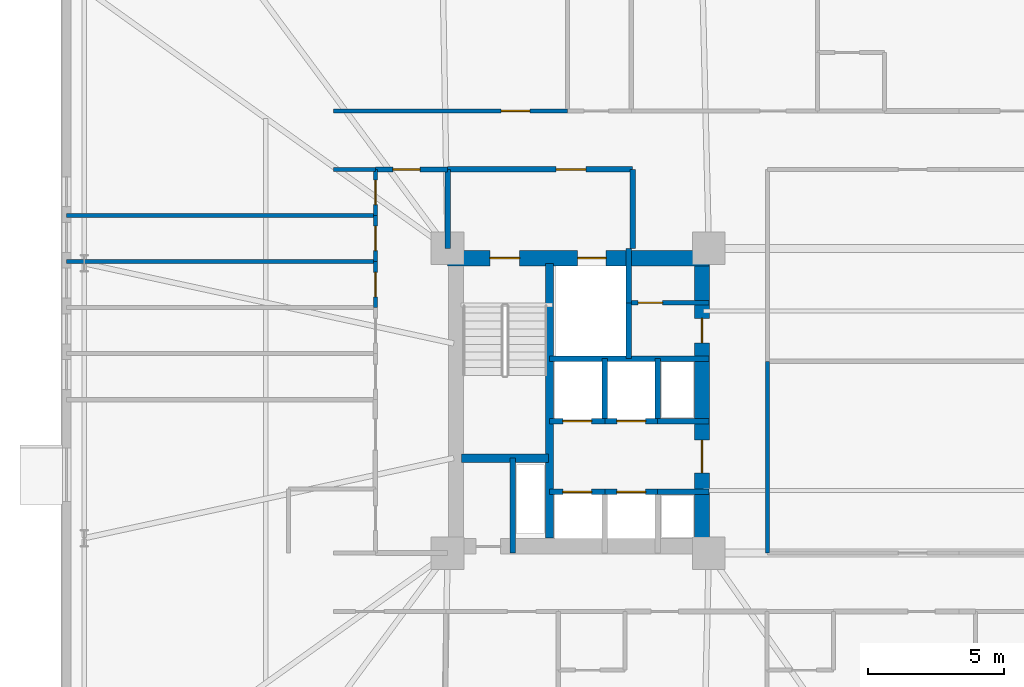
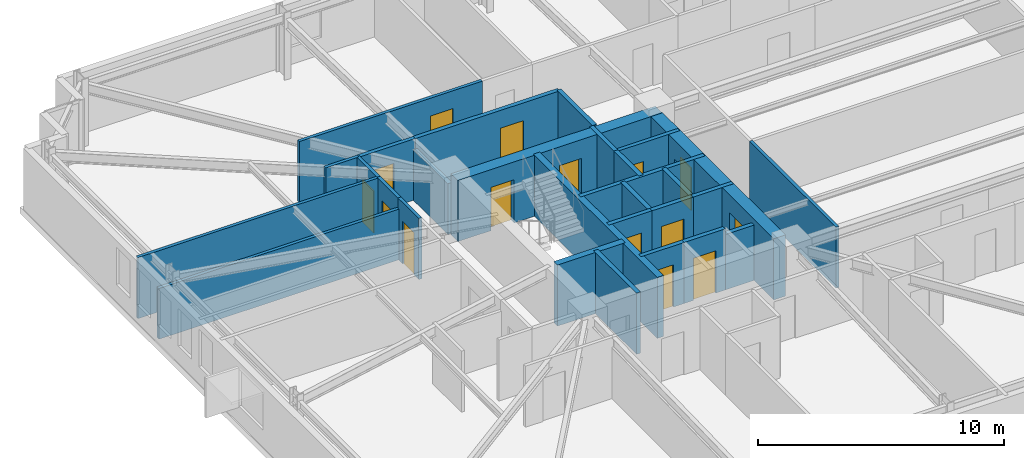
# One storey, part 15 of 21: 29 walls, 15 doors, 15 openings.
"""IFC4 building model written with IfcOpenShell, lengths in metres."""

from ifc_helpers import new_model, si_unit, direction, frame, frame_2d, origin, place, context, subcontext, project, spatial, rectangle, extrude, material, layer, layer_set, type_object, element, fill, save


model = new_model("IFC4")

# Units and contexts
model_context = context("Model", 3, precision=1e-05, world=origin(), true_north=direction((0.0, 1.0)))
body_context = subcontext(model_context, "Body", "Model", "MODEL_VIEW")
ifc_project = project(units=[si_unit("LENGTHUNIT", "METRE"), si_unit("AREAUNIT", "SQUARE_METRE"), si_unit("VOLUMEUNIT", "CUBIC_METRE"), si_unit("PLANEANGLEUNIT", "RADIAN"), si_unit("MASSUNIT", "GRAM", prefix="KILO")], contexts=[model_context])

# Site, building, storey
site_placement = place(None, origin())
site = spatial("IfcSite", under=ifc_project, at=site_placement, CompositionType="ELEMENT")
building_placement = place(site_placement, origin())
building = spatial("IfcBuilding", under=site, at=building_placement, Name="Qobustan Lattice House", CompositionType="ELEMENT")
storey_placement = place(building_placement, frame((0.0, 0.0, 40.39990234375)))
storey = spatial("IfcBuildingStorey", under=building, at=storey_placement, Name="L10", CompositionType="ELEMENT", Elevation=40.39990234375)

# Wall, openings, doors
ifc_material_1 = material(Name="Concrete C60/75", Category="concrete")
ifc_layer_1 = layer(ifc_material_1, 0.56005859375)
ifc_layer_set_1 = layer_set([ifc_layer_1], Name="Concrete C60/75")
wall_type_1 = type_object("IfcWallType", Name="WAL-CORE-600", PredefinedType="SHEAR", material=ifc_layer_set_1)
wall_1_placement = place(storey_placement, frame((-18.800048828125, 5.239990234375, 0.0), z_axis=(0.0, 0.0, 1.0), x_axis=(1.0, 0.0, 0.0)))
wall_1 = element("IfcWall", 1, at=wall_1_placement, inside=storey, type_object=wall_type_1, Name="L10 split-core shear wall CW-N", PredefinedType="SHEAR", context=body_context, shape_type="SweptSolid", body=[
    extrude(rectangle(XDim=9.60009765625, YDim=0.56005859375, at=frame_2d((4.800048828125, 0.0))), origin(), (0.0, 0.0, 1.0), 3.03515625),
])
opening_1_placement = place(wall_1_placement, frame((1.550048828125, 0.0, 0.0)))
opening_1 = element("IfcOpeningElement", 2, at=opening_1_placement, cuts=wall_1, Name="Opening SD-01", PredefinedType="OPENING", context=body_context, shape_type="SweptSolid", body=[
    extrude(rectangle(XDim=1.10009765625, YDim=2.14990234375, at=frame_2d((0.550048828125, 1.074951171875))), frame((0.0, 0.2900390625, 0.0), z_axis=(0.0, -1.0, 0.0), x_axis=(1.0, 0.0, 0.0)), (0.0, 0.0, 1.0), 0.580078125),
])
opening_2_placement = place(wall_1_placement, frame((4.77490234375, 0.0, 0.0)))
opening_2 = element("IfcOpeningElement", 3, at=opening_2_placement, cuts=wall_1, Name="Opening LD-01", PredefinedType="OPENING", context=body_context, shape_type="SweptSolid", body=[
    extrude(rectangle(XDim=1.050048828125, YDim=2.10009765625, at=frame_2d((0.52490234375, 1.050048828125))), frame((0.0, 0.2900390625, 0.0), z_axis=(0.0, -1.0, 0.0), x_axis=(1.0, 0.0, 0.0)), (0.0, 0.0, 1.0), 0.580078125),
])
ifc_material_2 = material(Name="Persian walnut timber and steel frame door", Category="steel")
door_type_1 = type_object("IfcDoorType", Name="DOR-LIFT-LD-1050x2100", OperationType="NOTDEFINED", PredefinedType="DOOR", material=ifc_material_2)
door_1_placement = place(opening_2_placement, origin())
door_1 = element("IfcDoor", 4, at=door_1_placement, inside=storey, type_object=door_type_1, Name="L10 firefighting lift FF-W landing door", OperationType="DOUBLE_DOOR_SLIDING", OverallHeight=2.10009765625, OverallWidth=1.050048828125, PredefinedType="DOOR", context=body_context, shape_type="SweptSolid", body=[
    extrude(rectangle(XDim=1.050048828125, YDim=2.10009765625, at=frame_2d((0.52490234375, 1.050048828125))), frame((0.0, 0.02490234375, 0.0), z_axis=(0.0, -1.0, 0.0), x_axis=(1.0, 0.0, 0.0)), (0.0, 0.0, 1.0), 0.050048828125),
])
fill(opening_2, door_1)
ifc_material_3 = material(Name="Persian walnut timber and steel frame door", Category="steel")
door_type_2 = type_object("IfcDoorType", Name="DOR-STAIR-FD-1100x2150", OperationType="NOTDEFINED", PredefinedType="DOOR", material=ifc_material_3)
door_2_placement = place(opening_1_placement, origin())
door_2 = element("IfcDoor", 5, at=door_2_placement, inside=storey, type_object=door_type_2, Name="L10 exit stair ST-W1 fire door", OperationType="SINGLE_SWING_LEFT", OverallHeight=2.14990234375, OverallWidth=1.10009765625, PredefinedType="DOOR", context=body_context, shape_type="SweptSolid", body=[
    extrude(rectangle(XDim=1.10009765625, YDim=2.14990234375, at=frame_2d((0.550048828125, 1.074951171875))), frame((0.0, 0.02490234375, 0.0), z_axis=(0.0, -1.0, 0.0), x_axis=(1.0, 0.0, 0.0)), (0.0, 0.0, 1.0), 0.050048828125),
])
fill(opening_1, door_2)

wall_2_placement = place(storey_placement, frame((-9.449951171875, -5.050048828125, 0.0), z_axis=(0.0, 0.0, 1.0), x_axis=(0.0, 1.0, 0.0)))
wall_2 = element("IfcWall", 6, at=wall_2_placement, inside=storey, type_object=wall_type_1, Name="L10 split-core shear wall CW-E", PredefinedType="SHEAR", context=body_context, shape_type="SweptSolid", body=[
    extrude(rectangle(XDim=10.10009765625, YDim=0.56005859375, at=frame_2d((5.050048828125, 0.0))), origin(), (0.0, 0.0, 1.0), 3.03515625),
])
opening_3_placement = place(wall_2_placement, frame((7.175048828125, 0.0, 0.0)))
opening_3 = element("IfcOpeningElement", 7, at=opening_3_placement, cuts=wall_2, Name="Opening RD-01", PredefinedType="OPENING", context=body_context, shape_type="SweptSolid", body=[
    extrude(rectangle(XDim=0.89990234375, YDim=2.10009765625, at=frame_2d((0.449951171875, 1.050048828125))), frame((0.0, 0.2900390625, 0.0), z_axis=(0.0, -1.0, 0.0), x_axis=(1.0, 0.0, 0.0)), (0.0, 0.0, 1.0), 0.580078125),
])
opening_4_placement = place(wall_2_placement, frame((2.39990234375, 0.0, 0.0)))
opening_4 = element("IfcOpeningElement", 8, at=opening_4_placement, cuts=wall_2, Name="Opening FD-01", PredefinedType="OPENING", context=body_context, shape_type="SweptSolid", body=[
    extrude(rectangle(XDim=1.199951171875, YDim=2.14990234375, at=frame_2d((0.60009765625, 1.074951171875))), frame((0.0, 0.2900390625, 0.0), z_axis=(0.0, -1.0, 0.0), x_axis=(1.0, 0.0, 0.0)), (0.0, 0.0, 1.0), 0.580078125),
])
ifc_material_4 = material(Name="Persian walnut timber and steel frame door", Category="steel")
door_type_3 = type_object("IfcDoorType", Name="DOR-LOBBY-FD-1200x2150", OperationType="NOTDEFINED", PredefinedType="DOOR", material=ifc_material_4)
door_3_placement = place(opening_4_placement, origin())
door_3 = element("IfcDoor", 9, at=door_3_placement, inside=storey, type_object=door_type_3, Name="L10 West passenger lift lobby fire door", OperationType="SINGLE_SWING_RIGHT", OverallHeight=2.14990234375, OverallWidth=1.199951171875, PredefinedType="DOOR", context=body_context, shape_type="SweptSolid", body=[
    extrude(rectangle(XDim=1.199951171875, YDim=2.14990234375, at=frame_2d((0.60009765625, 1.074951171875))), frame((0.0, 0.02490234375, 0.0), z_axis=(0.0, -1.0, 0.0), x_axis=(1.0, 0.0, 0.0)), (0.0, 0.0, 1.0), 0.050048828125),
])
fill(opening_4, door_3)
ifc_material_5 = material(Name="Persian walnut timber and steel frame door", Category="steel")
door_type_4 = type_object("IfcDoorType", Name="DOR-RISER-FD-900x2100", OperationType="NOTDEFINED", PredefinedType="DOOR", material=ifc_material_5)
door_4_placement = place(opening_3_placement, origin())
door_4 = element("IfcDoor", 10, at=door_4_placement, inside=storey, type_object=door_type_4, Name="L10 Core utility lobby fire door", OperationType="SINGLE_SWING_LEFT", OverallHeight=2.10009765625, OverallWidth=0.89990234375, PredefinedType="DOOR", context=body_context, shape_type="SweptSolid", body=[
    extrude(rectangle(XDim=0.89990234375, YDim=2.10009765625, at=frame_2d((0.449951171875, 1.050048828125))), frame((0.0, 0.02490234375, 0.0), z_axis=(0.0, -1.0, 0.0), x_axis=(1.0, 0.0, 0.0)), (0.0, 0.0, 1.0), 0.050048828125),
])
fill(opening_3, door_4)

# Walls
ifc_material_6 = material(Name="Concrete C50/60", Category="concrete")
ifc_layer_2 = layer(ifc_material_6, 0.280029296875)
ifc_layer_set_2 = layer_set([ifc_layer_2], Name="Concrete C50/60")
wall_type_2 = type_object("IfcWallType", Name="WAL-CORE-SPINE-280", PredefinedType="SHEAR", material=ifc_layer_set_2)
wall_3_placement = place(storey_placement, frame((-15.050048828125, -5.050048828125, 0.0), z_axis=(0.0, 0.0, 1.0), x_axis=(0.0, 1.0, 0.0)))
element("IfcWall", 11, at=wall_3_placement, inside=storey, type_object=wall_type_2, Name="L10 split-core shear wall CW-M", PredefinedType="SHEAR", context=body_context, shape_type="SweptSolid", body=[
    extrude(rectangle(XDim=10.10009765625, YDim=0.300048828125, at=frame_2d((5.050048828125, 0.0))), origin(), (0.0, 0.0, 1.0), 3.03515625),
])
wall_4_placement = place(storey_placement, frame((-18.280029296875, -2.110107421875, 0.0), z_axis=(0.0, 0.0, 1.0), x_axis=(1.0, 0.0, 0.0)))
element("IfcWall", 12, at=wall_4_placement, inside=storey, type_object=wall_type_2, Name="L10 split-core shear wall CW-ST", PredefinedType="SHEAR", context=body_context, shape_type="SweptSolid", body=[
    extrude(rectangle(XDim=3.179931640625, YDim=0.300048828125, at=frame_2d((1.58984375, 0.0))), origin(), (0.0, 0.0, 1.0), 3.03515625),
])

# Wall, opening, door
ifc_material_7 = material(Name="Gypsum fireboard acoustic partition", Category="gypsum")
ifc_layer_3 = layer(ifc_material_7, 0.179931640625)
ifc_layer_set_3 = layer_set([ifc_layer_3], Name="Gypsum fireboard acoustic partition")
wall_type_3 = type_object("IfcWallType", Name="WAL-FIRE-180", PredefinedType="PARTITIONING", material=ifc_layer_set_3)
wall_5_placement = place(storey_placement, frame((-9.199951171875, 3.60009765625, 0.0), z_axis=(0.0, 0.0, 1.0), x_axis=(-1.0, 0.0, 0.0)))
wall_5 = element("IfcWall", 13, at=wall_5_placement, inside=storey, type_object=wall_type_3, Name="L10 interior partition 7", PredefinedType="PARTITIONING", context=body_context, shape_type="SweptSolid", body=[
    extrude(rectangle(XDim=2.949951171875, YDim=0.179931640625, at=frame_2d((1.47509765625, 0.0))), origin(), (0.0, 0.0, 1.0), 3.03515625),
])
opening_5_placement = place(wall_5_placement, frame((1.699951171875, 0.0, 0.0)))
opening_5 = element("IfcOpeningElement", 14, at=opening_5_placement, cuts=wall_5, Name="Opening RD-01", PredefinedType="OPENING", context=body_context, shape_type="SweptSolid", body=[
    extrude(rectangle(XDim=0.89990234375, YDim=2.10009765625, at=frame_2d((0.449951171875, 1.050048828125))), frame((0.0, 0.099853515625, 0.0), z_axis=(0.0, -1.0, 0.0), x_axis=(1.0, 0.0, 0.0)), (0.0, 0.0, 1.0), 0.199951171875),
])
door_5_placement = place(opening_5_placement, origin())
door_5 = element("IfcDoor", 15, at=door_5_placement, inside=storey, type_object=door_type_4, Name="L10 Core utility lobby to Cleaner store door", OperationType="SINGLE_SWING_RIGHT", OverallHeight=2.10009765625, OverallWidth=0.89990234375, PredefinedType="DOOR", context=body_context, shape_type="SweptSolid", body=[
    extrude(rectangle(XDim=0.89990234375, YDim=2.10009765625, at=frame_2d((0.449951171875, 1.050048828125))), frame((0.0, 0.02490234375, 0.0), z_axis=(0.0, -1.0, 0.0), x_axis=(1.0, 0.0, 0.0)), (0.0, 0.0, 1.0), 0.050048828125),
])
fill(opening_5, door_5)

wall_6_placement = place(storey_placement, frame((-18.800048828125, 8.5, 0.0), z_axis=(0.0, 0.0, 1.0), x_axis=(-1.0, 0.0, 0.0)))
wall_6 = element("IfcWall", 16, at=wall_6_placement, inside=storey, type_object=wall_type_3, Name="L10 interior partition 38", PredefinedType="PARTITIONING", context=body_context, shape_type="SweptSolid", body=[
    extrude(rectangle(XDim=2.64990234375, YDim=0.179931640625, at=frame_2d((1.324951171875, 0.0))), origin(), (0.0, 0.0, 1.0), 3.03515625),
])
opening_6_placement = place(wall_6_placement, frame((1.0087890625, 0.0, 0.0)))
opening_6 = element("IfcOpeningElement", 17, at=opening_6_placement, cuts=wall_6, Name="Opening FD-02", PredefinedType="OPENING", context=body_context, shape_type="SweptSolid", body=[
    extrude(rectangle(XDim=1.0, YDim=2.14990234375, at=frame_2d((0.5, 1.074951171875))), frame((0.0, 0.099853515625, 0.0), z_axis=(0.0, -1.0, 0.0), x_axis=(1.0, 0.0, 0.0)), (0.0, 0.0, 1.0), 0.199951171875),
])
ifc_material_8 = material(Name="Persian walnut timber and steel frame door", Category="steel")
door_type_5 = type_object("IfcDoorType", Name="DOR-UNIT-FD-1000x2150", OperationType="NOTDEFINED", PredefinedType="DOOR", material=ifc_material_8)
door_6_placement = place(opening_6_placement, origin())
door_6 = element("IfcDoor", 18, at=door_6_placement, inside=storey, type_object=door_type_5, Name="L10 North-west floor corridor to Residence entrance hall L10W door", OperationType="SINGLE_SWING_RIGHT", OverallHeight=2.14990234375, OverallWidth=1.0, PredefinedType="DOOR", context=body_context, shape_type="SweptSolid", body=[
    extrude(rectangle(XDim=1.0, YDim=2.14990234375, at=frame_2d((0.5, 1.074951171875))), frame((0.0, 0.02490234375, 0.0), z_axis=(0.0, -1.0, 0.0), x_axis=(1.0, 0.0, 0.0)), (0.0, 0.0, 1.0), 0.050048828125),
])
fill(opening_6, door_6)

# Wall
ifc_material_9 = material(Name="Acoustic twin-stud gypsum partition", Category="gypsum")
ifc_layer_4 = layer(ifc_material_9, 0.14990234375)
ifc_layer_set_4 = layer_set([ifc_layer_4], Name="Acoustic twin-stud gypsum partition")
wall_type_4 = type_object("IfcWallType", Name="WAL-PART-150", PredefinedType="PARTITIONING", material=ifc_layer_set_4)
wall_7_placement = place(storey_placement, frame((-21.449951171875, 8.5, 0.0), z_axis=(0.0, 0.0, 1.0), x_axis=(-1.0, 0.0, 0.0)))
element("IfcWall", 19, at=wall_7_placement, inside=storey, type_object=wall_type_4, Name="L10 interior partition 39", PredefinedType="PARTITIONING", context=body_context, shape_type="SweptSolid", body=[
    extrude(rectangle(XDim=1.550048828125, YDim=0.14990234375, at=frame_2d((0.77490234375, 0.0))), origin(), (0.0, 0.0, 1.0), 3.03515625),
])

# Wall, opening, door
wall_8_placement = place(storey_placement, frame((-23.0, 10.64990234375, 0.0), z_axis=(0.0, 0.0, 1.0), x_axis=(1.0, 0.0, 0.0)))
wall_8 = element("IfcWall", 20, at=wall_8_placement, inside=storey, type_object=wall_type_4, Name="L10 interior partition 40", PredefinedType="PARTITIONING", context=body_context, shape_type="SweptSolid", body=[
    extrude(rectangle(XDim=8.60009765625, YDim=0.14990234375, at=frame_2d((4.300048828125, 0.0))), origin(), (0.0, 0.0, 1.0), 3.03515625),
])
opening_7_placement = place(wall_8_placement, frame((6.171142578125, 0.0, 0.0)))
opening_7 = element("IfcOpeningElement", 21, at=opening_7_placement, cuts=wall_8, Name="Opening ID-02", PredefinedType="OPENING", context=body_context, shape_type="SweptSolid", body=[
    extrude(rectangle(XDim=1.050048828125, YDim=2.14990234375, at=frame_2d((0.52490234375, 1.074951171875))), frame((0.0, 0.0849609375, 0.0), z_axis=(0.0, -1.0, 0.0), x_axis=(1.0, 0.0, 0.0)), (0.0, 0.0, 1.0), 0.169921875),
])
ifc_material_10 = material(Name="Persian walnut timber and steel frame door", Category="steel")
door_type_6 = type_object("IfcDoorType", Name="DOR-STUDY-1050x2150", OperationType="NOTDEFINED", PredefinedType="DOOR", material=ifc_material_10)
door_7_placement = place(opening_7_placement, origin())
door_7 = element("IfcDoor", 22, at=door_7_placement, inside=storey, type_object=door_type_6, Name="L10 North-west floor corridor to Focus study room N1 door", OperationType="SINGLE_SWING_LEFT", OverallHeight=2.14990234375, OverallWidth=1.050048828125, PredefinedType="DOOR", context=body_context, shape_type="SweptSolid", body=[
    extrude(rectangle(XDim=1.050048828125, YDim=2.14990234375, at=frame_2d((0.52490234375, 1.074951171875))), frame((0.0, 0.02490234375, 0.0), z_axis=(0.0, -1.0, 0.0), x_axis=(1.0, 0.0, 0.0)), (0.0, 0.0, 1.0), 0.050048828125),
])
fill(opening_7, door_7)

# Wall
wall_9_placement = place(storey_placement, frame((-7.050048828125, 1.449951171875, 0.0), z_axis=(0.0, 0.0, 1.0), x_axis=(0.0, -1.0, 0.0)))
element("IfcWall", 23, at=wall_9_placement, inside=storey, type_object=wall_type_4, Name="L10 interior partition 74", PredefinedType="PARTITIONING", context=body_context, shape_type="SweptSolid", body=[
    extrude(rectangle(XDim=7.050048828125, YDim=0.14990234375, at=frame_2d((3.52490234375, 0.0))), origin(), (0.0, 0.0, 1.0), 3.03515625),
])

# Wall, opening, door
wall_10_placement = place(storey_placement, frame((-21.449951171875, 3.424072265625, 0.0), z_axis=(0.0, 0.0, 1.0), x_axis=(0.0, 1.0, 0.0)))
wall_10 = element("IfcWall", 24, at=wall_10_placement, inside=storey, type_object=wall_type_4, Name="L10 interior partition 82", PredefinedType="PARTITIONING", context=body_context, shape_type="SweptSolid", body=[
    extrude(rectangle(XDim=1.69189453125, YDim=0.14990234375, at=frame_2d((0.845947265625, 0.0))), origin(), (0.0, 0.0, 1.0), 3.03515625),
])
opening_8_placement = place(wall_10_placement, frame((0.39599609375, 0.0, 0.0)))
opening_8 = element("IfcOpeningElement", 25, at=opening_8_placement, cuts=wall_10, Name="Opening WD-01", PredefinedType="OPENING", context=body_context, shape_type="SweptSolid", body=[
    extrude(rectangle(XDim=0.89990234375, YDim=2.10009765625, at=frame_2d((0.449951171875, 1.050048828125))), frame((0.0, 0.0849609375, 0.0), z_axis=(0.0, -1.0, 0.0), x_axis=(1.0, 0.0, 0.0)), (0.0, 0.0, 1.0), 0.169921875),
])
ifc_material_11 = material(Name="Persian walnut timber and steel frame door", Category="steel")
door_type_7 = type_object("IfcDoorType", Name="DOR-WET-900x2100", OperationType="NOTDEFINED", PredefinedType="DOOR", material=ifc_material_11)
door_8_placement = place(opening_8_placement, origin())
door_8 = element("IfcDoor", 26, at=door_8_placement, inside=storey, type_object=door_type_7, Name="L10 Residence entrance hall L10W to Cluster bedroom L10W3 door", OperationType="SINGLE_SWING_LEFT", OverallHeight=2.10009765625, OverallWidth=0.89990234375, PredefinedType="DOOR", context=body_context, shape_type="SweptSolid", body=[
    extrude(rectangle(XDim=0.89990234375, YDim=2.10009765625, at=frame_2d((0.449951171875, 1.050048828125))), frame((0.0, 0.02490234375, 0.0), z_axis=(0.0, -1.0, 0.0), x_axis=(1.0, 0.0, 0.0)), (0.0, 0.0, 1.0), 0.050048828125),
])
fill(opening_8, door_8)

wall_11_placement = place(storey_placement, frame((-21.449951171875, 5.115966796875, 0.0), z_axis=(0.0, 0.0, 1.0), x_axis=(0.0, 1.0, 0.0)))
wall_11 = element("IfcWall", 27, at=wall_11_placement, inside=storey, type_object=wall_type_4, Name="L10 interior partition 83", PredefinedType="PARTITIONING", context=body_context, shape_type="SweptSolid", body=[
    extrude(rectangle(XDim=1.692138671875, YDim=0.14990234375, at=frame_2d((0.84619140625, 0.0))), origin(), (0.0, 0.0, 1.0), 3.03515625),
])
opening_9_placement = place(wall_11_placement, frame((0.39599609375, 0.0, 0.0)))
opening_9 = element("IfcOpeningElement", 28, at=opening_9_placement, cuts=wall_11, Name="Opening WD-01", PredefinedType="OPENING", context=body_context, shape_type="SweptSolid", body=[
    extrude(rectangle(XDim=0.89990234375, YDim=2.10009765625, at=frame_2d((0.449951171875, 1.050048828125))), frame((0.0, 0.0849609375, 0.0), z_axis=(0.0, -1.0, 0.0), x_axis=(1.0, 0.0, 0.0)), (0.0, 0.0, 1.0), 0.169921875),
])
door_9_placement = place(opening_9_placement, origin())
door_9 = element("IfcDoor", 29, at=door_9_placement, inside=storey, type_object=door_type_7, Name="L10 Residence entrance hall L10W to Cluster bedroom L10W4 door", OperationType="SINGLE_SWING_RIGHT", OverallHeight=2.10009765625, OverallWidth=0.89990234375, PredefinedType="DOOR", context=body_context, shape_type="SweptSolid", body=[
    extrude(rectangle(XDim=0.89990234375, YDim=2.10009765625, at=frame_2d((0.449951171875, 1.050048828125))), frame((0.0, 0.02490234375, 0.0), z_axis=(0.0, -1.0, 0.0), x_axis=(1.0, 0.0, 0.0)), (0.0, 0.0, 1.0), 0.050048828125),
])
fill(opening_9, door_9)

wall_12_placement = place(storey_placement, frame((-21.449951171875, 6.80810546875, 0.0), z_axis=(0.0, 0.0, 1.0), x_axis=(0.0, 1.0, 0.0)))
wall_12 = element("IfcWall", 30, at=wall_12_placement, inside=storey, type_object=wall_type_4, Name="L10 interior partition 84", PredefinedType="PARTITIONING", context=body_context, shape_type="SweptSolid", body=[
    extrude(rectangle(XDim=1.69189453125, YDim=0.14990234375, at=frame_2d((0.845947265625, 0.0))), origin(), (0.0, 0.0, 1.0), 3.03515625),
])
opening_10_placement = place(wall_12_placement, frame((0.39599609375, 0.0, 0.0)))
opening_10 = element("IfcOpeningElement", 31, at=opening_10_placement, cuts=wall_12, Name="Opening WD-01", PredefinedType="OPENING", context=body_context, shape_type="SweptSolid", body=[
    extrude(rectangle(XDim=0.89990234375, YDim=2.10009765625, at=frame_2d((0.449951171875, 1.050048828125))), frame((0.0, 0.0849609375, 0.0), z_axis=(0.0, -1.0, 0.0), x_axis=(1.0, 0.0, 0.0)), (0.0, 0.0, 1.0), 0.169921875),
])
door_10_placement = place(opening_10_placement, origin())
door_10 = element("IfcDoor", 32, at=door_10_placement, inside=storey, type_object=door_type_7, Name="L10 Residence entrance hall L10W to Cluster bedroom L10W5 door", OperationType="SINGLE_SWING_LEFT", OverallHeight=2.10009765625, OverallWidth=0.89990234375, PredefinedType="DOOR", context=body_context, shape_type="SweptSolid", body=[
    extrude(rectangle(XDim=0.89990234375, YDim=2.10009765625, at=frame_2d((0.449951171875, 1.050048828125))), frame((0.0, 0.02490234375, 0.0), z_axis=(0.0, -1.0, 0.0), x_axis=(1.0, 0.0, 0.0)), (0.0, 0.0, 1.0), 0.050048828125),
])
fill(opening_10, door_10)

# Walls
wall_13_placement = place(storey_placement, frame((-32.800048828125, 5.115966796875, 0.0), z_axis=(0.0, 0.0, 1.0), x_axis=(1.0, 0.0, 0.0)))
element("IfcWall", 33, at=wall_13_placement, inside=storey, type_object=wall_type_4, Name="L10 interior partition 90", PredefinedType="PARTITIONING", context=body_context, shape_type="SweptSolid", body=[
    extrude(rectangle(XDim=11.35009765625, YDim=0.14990234375, at=frame_2d((5.675048828125, 0.0))), origin(), (0.0, 0.0, 1.0), 2.52001953125),
])
wall_14_placement = place(storey_placement, frame((-32.800048828125, 6.80810546875, 0.0), z_axis=(0.0, 0.0, 1.0), x_axis=(1.0, 0.0, 0.0)))
element("IfcWall", 34, at=wall_14_placement, inside=storey, type_object=wall_type_4, Name="L10 interior partition 91", PredefinedType="PARTITIONING", context=body_context, shape_type="SweptSolid", body=[
    extrude(rectangle(XDim=11.35009765625, YDim=0.14990234375, at=frame_2d((5.675048828125, 0.0))), origin(), (0.0, 0.0, 1.0), 3.03515625),
])

# Wall, opening, door
ifc_material_12 = material(Name="Two-hour gypsum fireboard acoustic partition", Category="gypsum")
ifc_layer_5 = layer(ifc_material_12, 0.199951171875)
ifc_layer_set_5 = layer_set([ifc_layer_5], Name="Two-hour gypsum fireboard acoustic partition")
wall_type_5 = type_object("IfcWallType", Name="WAL-PROT-200", PredefinedType="PARTITIONING", material=ifc_layer_set_5)
wall_15_placement = place(storey_placement, frame((-12.0, 8.5, 0.0), z_axis=(0.0, 0.0, 1.0), x_axis=(-1.0, 0.0, 0.0)))
wall_15 = element("IfcWall", 35, at=wall_15_placement, inside=storey, type_object=wall_type_5, Name="L10 interior partition 4", PredefinedType="PARTITIONING", context=body_context, shape_type="SweptSolid", body=[
    extrude(rectangle(XDim=6.800048828125, YDim=0.199951171875, at=frame_2d((3.39990234375, 0.0))), origin(), (0.0, 0.0, 1.0), 3.03515625),
])
opening_11_placement = place(wall_15_placement, frame((1.715087890625, 0.0, 0.0)))
opening_11 = element("IfcOpeningElement", 36, at=opening_11_placement, cuts=wall_15, Name="Opening SD-01", PredefinedType="OPENING", context=body_context, shape_type="SweptSolid", body=[
    extrude(rectangle(XDim=1.10009765625, YDim=2.14990234375, at=frame_2d((0.550048828125, 1.074951171875))), frame((0.0, 0.10986328125, 0.0), z_axis=(0.0, -1.0, 0.0), x_axis=(1.0, 0.0, 0.0)), (0.0, 0.0, 1.0), 0.219970703125),
])
door_11_placement = place(opening_11_placement, origin())
door_11 = element("IfcDoor", 37, at=door_11_placement, inside=storey, type_object=door_type_2, Name="L10 West firefighting lift lobby to North-west floor corridor door", OperationType="SINGLE_SWING_LEFT", OverallHeight=2.14990234375, OverallWidth=1.10009765625, PredefinedType="DOOR", context=body_context, shape_type="SweptSolid", body=[
    extrude(rectangle(XDim=1.10009765625, YDim=2.14990234375, at=frame_2d((0.550048828125, 1.074951171875))), frame((0.0, 0.02490234375, 0.0), z_axis=(0.0, -1.0, 0.0), x_axis=(1.0, 0.0, 0.0)), (0.0, 0.0, 1.0), 0.050048828125),
])
fill(opening_11, door_11)

# Walls
wall_16_placement = place(storey_placement, frame((-12.0, 5.60009765625, 0.0), z_axis=(0.0, 0.0, 1.0), x_axis=(0.0, 1.0, 0.0)))
element("IfcWall", 38, at=wall_16_placement, inside=storey, type_object=wall_type_5, Name="L10 interior partition 5", PredefinedType="PARTITIONING", context=body_context, shape_type="SweptSolid", body=[
    extrude(rectangle(XDim=2.89990234375, YDim=0.199951171875, at=frame_2d((1.449951171875, 0.0))), origin(), (0.0, 0.0, 1.0), 3.03515625),
])
wall_17_placement = place(storey_placement, frame((-18.800048828125, 8.5, 0.0), z_axis=(0.0, 0.0, 1.0), x_axis=(0.0, -1.0, 0.0)))
element("IfcWall", 39, at=wall_17_placement, inside=storey, type_object=wall_type_5, Name="L10 interior partition 6", PredefinedType="PARTITIONING", context=body_context, shape_type="SweptSolid", body=[
    extrude(rectangle(XDim=2.89990234375, YDim=0.199951171875, at=frame_2d((1.449951171875, 0.0))), origin(), (0.0, 0.0, 1.0), 2.52001953125),
])
ifc_material_13 = material(Name="Concrete C40/50", Category="concrete")
ifc_layer_6 = layer(ifc_material_13, 0.199951171875)
ifc_layer_set_6 = layer_set([ifc_layer_6], Name="Concrete C40/50")
wall_type_6 = type_object("IfcWallType", Name="WAL-SHAFT-200", PredefinedType="PARTITIONING", material=ifc_layer_set_6)
wall_18_placement = place(storey_placement, frame((-16.39990234375, -5.60009765625, 0.0), z_axis=(0.0, 0.0, 1.0), x_axis=(0.0, 1.0, 0.0)))
element("IfcWall", 40, at=wall_18_placement, inside=storey, type_object=wall_type_6, Name="L10 interior partition 1", PredefinedType="PARTITIONING", context=body_context, shape_type="SweptSolid", body=[
    extrude(rectangle(XDim=3.489990234375, YDim=0.199951171875, at=frame_2d((1.7451171875, 0.0))), origin(), (0.0, 0.0, 1.0), 3.03515625),
])
wall_19_placement = place(storey_placement, frame((-12.14990234375, 1.550048828125, 0.0), z_axis=(0.0, 0.0, 1.0), x_axis=(0.0, 1.0, 0.0)))
element("IfcWall", 41, at=wall_19_placement, inside=storey, type_object=wall_type_6, Name="L10 interior partition 2", PredefinedType="PARTITIONING", context=body_context, shape_type="SweptSolid", body=[
    extrude(rectangle(XDim=2.050048828125, YDim=0.199951171875, at=frame_2d((1.02490234375, 0.0))), origin(), (0.0, 0.0, 1.0), 3.03515625),
])
wall_20_placement = place(storey_placement, frame((-12.14990234375, 3.60009765625, 0.0), z_axis=(0.0, 0.0, 1.0), x_axis=(0.0, 1.0, 0.0)))
element("IfcWall", 42, at=wall_20_placement, inside=storey, type_object=wall_type_6, Name="L10 interior partition 3", PredefinedType="PARTITIONING", context=body_context, shape_type="SweptSolid", body=[
    extrude(rectangle(XDim=2.0, YDim=0.199951171875, at=frame_2d((1.0, 0.0))), origin(), (0.0, 0.0, 1.0), 3.03515625),
])

# Wall, opening, door
wall_21_placement = place(storey_placement, frame((-15.050048828125, -3.35009765625, 0.0), z_axis=(0.0, 0.0, 1.0), x_axis=(1.0, 0.0, 0.0)))
wall_21 = element("IfcWall", 43, at=wall_21_placement, inside=storey, type_object=wall_type_6, Name="L10 interior partition 9", PredefinedType="PARTITIONING", context=body_context, shape_type="SweptSolid", body=[
    extrude(rectangle(XDim=2.030029296875, YDim=0.199951171875, at=frame_2d((1.01513671875, 0.0))), origin(), (0.0, 0.0, 1.0), 3.03515625),
])
opening_12_placement = place(wall_21_placement, frame((0.489990234375, 0.0, 0.0)))
opening_12 = element("IfcOpeningElement", 44, at=opening_12_placement, cuts=wall_21, Name="Opening LD-01", PredefinedType="OPENING", context=body_context, shape_type="SweptSolid", body=[
    extrude(rectangle(XDim=1.050048828125, YDim=2.10009765625, at=frame_2d((0.52490234375, 1.050048828125))), frame((0.0, 0.10986328125, 0.0), z_axis=(0.0, -1.0, 0.0), x_axis=(1.0, 0.0, 0.0)), (0.0, 0.0, 1.0), 0.219970703125),
])
door_12_placement = place(opening_12_placement, origin())
door_12 = element("IfcDoor", 45, at=door_12_placement, inside=storey, type_object=door_type_1, Name="L10 lift landing door", OperationType="DOUBLE_DOOR_SLIDING", OverallHeight=2.10009765625, OverallWidth=1.050048828125, PredefinedType="DOOR", context=body_context, shape_type="SweptSolid", body=[
    extrude(rectangle(XDim=1.050048828125, YDim=2.10009765625, at=frame_2d((0.52490234375, 1.050048828125))), frame((0.0, 0.02490234375, 0.0), z_axis=(0.0, -1.0, 0.0), x_axis=(1.0, 0.0, 0.0)), (0.0, 0.0, 1.0), 0.050048828125),
])
fill(opening_12, door_12)

wall_22_placement = place(storey_placement, frame((-13.02001953125, -3.35009765625, 0.0), z_axis=(0.0, 0.0, 1.0), x_axis=(1.0, 0.0, 0.0)))
wall_22 = element("IfcWall", 46, at=wall_22_placement, inside=storey, type_object=wall_type_6, Name="L10 interior partition 10", PredefinedType="PARTITIONING", context=body_context, shape_type="SweptSolid", body=[
    extrude(rectangle(XDim=1.93994140625, YDim=0.199951171875, at=frame_2d((0.969970703125, 0.0))), origin(), (0.0, 0.0, 1.0), 3.03515625),
])
opening_13_placement = place(wall_22_placement, frame((0.445068359375, 0.0, 0.0)))
opening_13 = element("IfcOpeningElement", 47, at=opening_13_placement, cuts=wall_22, Name="Opening LD-01", PredefinedType="OPENING", context=body_context, shape_type="SweptSolid", body=[
    extrude(rectangle(XDim=1.050048828125, YDim=2.10009765625, at=frame_2d((0.52490234375, 1.050048828125))), frame((0.0, 0.10986328125, 0.0), z_axis=(0.0, -1.0, 0.0), x_axis=(1.0, 0.0, 0.0)), (0.0, 0.0, 1.0), 0.219970703125),
])
door_13_placement = place(opening_13_placement, origin())
door_13 = element("IfcDoor", 48, at=door_13_placement, inside=storey, type_object=door_type_1, Name="L10 lift landing door", OperationType="DOUBLE_DOOR_SLIDING", OverallHeight=2.10009765625, OverallWidth=1.050048828125, PredefinedType="DOOR", context=body_context, shape_type="SweptSolid", body=[
    extrude(rectangle(XDim=1.050048828125, YDim=2.10009765625, at=frame_2d((0.52490234375, 1.050048828125))), frame((0.0, 0.02490234375, 0.0), z_axis=(0.0, -1.0, 0.0), x_axis=(1.0, 0.0, 0.0)), (0.0, 0.0, 1.0), 0.050048828125),
])
fill(opening_13, door_13)

# Wall
wall_23_placement = place(storey_placement, frame((-11.080078125, -3.35009765625, 0.0), z_axis=(0.0, 0.0, 1.0), x_axis=(1.0, 0.0, 0.0)))
element("IfcWall", 49, at=wall_23_placement, inside=storey, type_object=wall_type_6, Name="L10 interior partition 11", PredefinedType="PARTITIONING", context=body_context, shape_type="SweptSolid", body=[
    extrude(rectangle(XDim=1.880126953125, YDim=0.199951171875, at=frame_2d((0.93994140625, 0.0))), origin(), (0.0, 0.0, 1.0), 2.75),
])

# Wall, opening, door
wall_24_placement = place(storey_placement, frame((-13.02001953125, -0.75, 0.0), z_axis=(0.0, 0.0, 1.0), x_axis=(-1.0, 0.0, 0.0)))
wall_24 = element("IfcWall", 50, at=wall_24_placement, inside=storey, type_object=wall_type_6, Name="L10 interior partition 12", PredefinedType="PARTITIONING", context=body_context, shape_type="SweptSolid", body=[
    extrude(rectangle(XDim=2.030029296875, YDim=0.199951171875, at=frame_2d((1.01513671875, 0.0))), origin(), (0.0, 0.0, 1.0), 3.03515625),
])
opening_14_placement = place(wall_24_placement, frame((0.489990234375, 0.0, 0.0)))
opening_14 = element("IfcOpeningElement", 51, at=opening_14_placement, cuts=wall_24, Name="Opening LD-01", PredefinedType="OPENING", context=body_context, shape_type="SweptSolid", body=[
    extrude(rectangle(XDim=1.050048828125, YDim=2.10009765625, at=frame_2d((0.52490234375, 1.050048828125))), frame((0.0, 0.10986328125, 0.0), z_axis=(0.0, -1.0, 0.0), x_axis=(1.0, 0.0, 0.0)), (0.0, 0.0, 1.0), 0.219970703125),
])
door_14_placement = place(opening_14_placement, origin())
door_14 = element("IfcDoor", 52, at=door_14_placement, inside=storey, type_object=door_type_1, Name="L10 lift landing door", OperationType="DOUBLE_DOOR_SLIDING", OverallHeight=2.10009765625, OverallWidth=1.050048828125, PredefinedType="DOOR", context=body_context, shape_type="SweptSolid", body=[
    extrude(rectangle(XDim=1.050048828125, YDim=2.10009765625, at=frame_2d((0.52490234375, 1.050048828125))), frame((0.0, 0.02490234375, 0.0), z_axis=(0.0, -1.0, 0.0), x_axis=(1.0, 0.0, 0.0)), (0.0, 0.0, 1.0), 0.050048828125),
])
fill(opening_14, door_14)

wall_25_placement = place(storey_placement, frame((-11.080078125, -0.75, 0.0), z_axis=(0.0, 0.0, 1.0), x_axis=(-1.0, 0.0, 0.0)))
wall_25 = element("IfcWall", 53, at=wall_25_placement, inside=storey, type_object=wall_type_6, Name="L10 interior partition 13", PredefinedType="PARTITIONING", context=body_context, shape_type="SweptSolid", body=[
    extrude(rectangle(XDim=1.93994140625, YDim=0.199951171875, at=frame_2d((0.969970703125, 0.0))), origin(), (0.0, 0.0, 1.0), 3.03515625),
])
opening_15_placement = place(wall_25_placement, frame((0.445068359375, 0.0, 0.0)))
opening_15 = element("IfcOpeningElement", 54, at=opening_15_placement, cuts=wall_25, Name="Opening LD-01", PredefinedType="OPENING", context=body_context, shape_type="SweptSolid", body=[
    extrude(rectangle(XDim=1.050048828125, YDim=2.10009765625, at=frame_2d((0.52490234375, 1.050048828125))), frame((0.0, 0.10986328125, 0.0), z_axis=(0.0, -1.0, 0.0), x_axis=(1.0, 0.0, 0.0)), (0.0, 0.0, 1.0), 0.219970703125),
])
door_15_placement = place(opening_15_placement, origin())
door_15 = element("IfcDoor", 55, at=door_15_placement, inside=storey, type_object=door_type_1, Name="L10 lift landing door", OperationType="DOUBLE_DOOR_SLIDING", OverallHeight=2.10009765625, OverallWidth=1.050048828125, PredefinedType="DOOR", context=body_context, shape_type="SweptSolid", body=[
    extrude(rectangle(XDim=1.050048828125, YDim=2.10009765625, at=frame_2d((0.52490234375, 1.050048828125))), frame((0.0, 0.02490234375, 0.0), z_axis=(0.0, -1.0, 0.0), x_axis=(1.0, 0.0, 0.0)), (0.0, 0.0, 1.0), 0.050048828125),
])
fill(opening_15, door_15)

# Walls
wall_26_placement = place(storey_placement, frame((-9.199951171875, -0.75, 0.0), z_axis=(0.0, 0.0, 1.0), x_axis=(-1.0, 0.0, 0.0)))
element("IfcWall", 56, at=wall_26_placement, inside=storey, type_object=wall_type_6, Name="L10 interior partition 14", PredefinedType="PARTITIONING", context=body_context, shape_type="SweptSolid", body=[
    extrude(rectangle(XDim=1.880126953125, YDim=0.199951171875, at=frame_2d((0.93994140625, 0.0))), origin(), (0.0, 0.0, 1.0), 3.03515625),
])
for number, where, z_axis, x_axis, name in (
    (57, (-13.02001953125, -0.75, 0.0), (0.0, 0.0, 1.0), (0.0, 1.0, 0.0), "L10 interior partition 18"),
    (58, (-11.080078125, -0.75, 0.0), (0.0, 0.0, 1.0), (0.0, 1.0, 0.0), "L10 interior partition 19"),
):
    element("IfcWall", number, at=place(storey_placement, frame(where, z_axis=z_axis, x_axis=x_axis)), inside=storey, type_object=wall_type_6, Name=name, PredefinedType="PARTITIONING", context=body_context, shape_type="SweptSolid", body=[
        extrude(rectangle(XDim=2.300048828125, YDim=0.199951171875, at=frame_2d((1.14990234375, 0.0))), origin(), (0.0, 0.0, 1.0), 3.03515625),
    ])
wall_27_placement = place(storey_placement, frame((-15.050048828125, 1.550048828125, 0.0), z_axis=(0.0, 0.0, 1.0), x_axis=(1.0, 0.0, 0.0)))
element("IfcWall", 59, at=wall_27_placement, inside=storey, type_object=wall_type_6, Name="L10 interior partition 134", PredefinedType="PARTITIONING", context=body_context, shape_type="SweptSolid", body=[
    extrude(rectangle(XDim=5.85009765625, YDim=0.199951171875, at=frame_2d((2.925048828125, 0.0))), origin(), (0.0, 0.0, 1.0), 3.03515625),
])

save(model, "model.ifc")
